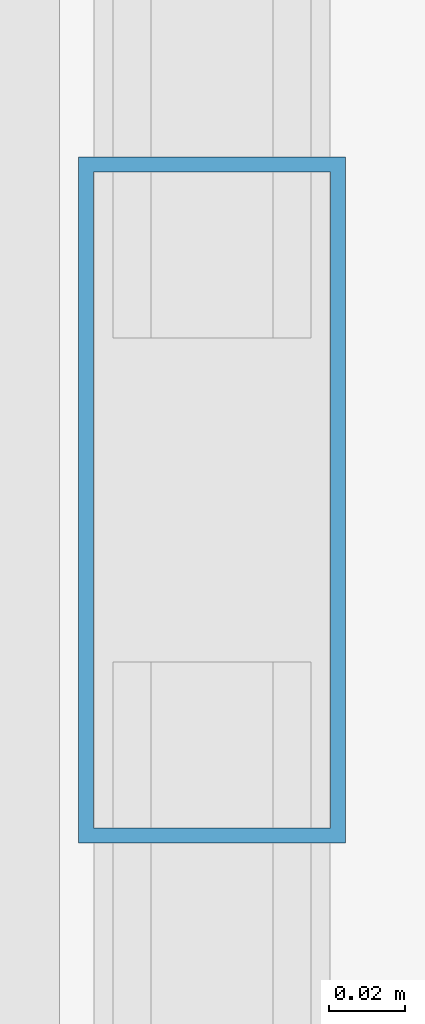
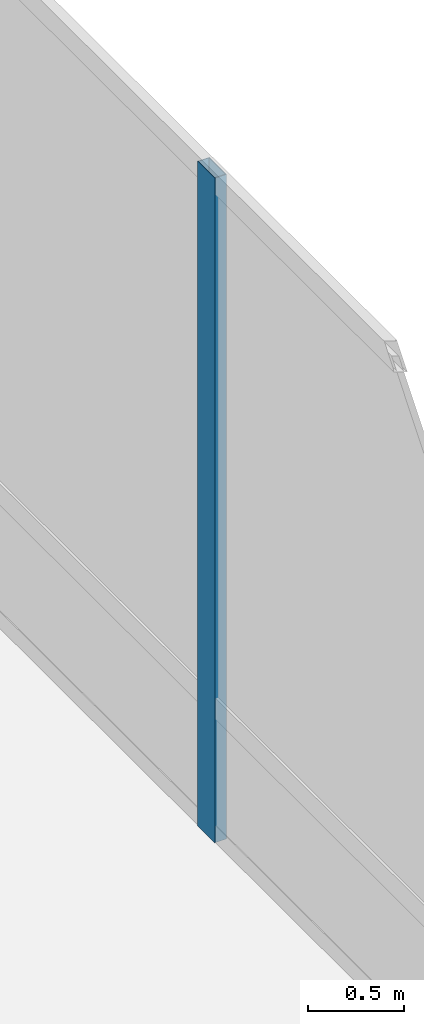
# One storey, part 15 of 25: 1 member, 1 element without a shape of its own.
"""IFC4 building model written with IfcOpenShell, lengths in metres."""

from ifc_helpers import new_model, si_unit, direction, frame, origin, origin_2d, place, context, subcontext, project, spatial, hollow_rectangle, extrude, material, material_profile, profile_set, type_object, element, aggregate, save


model = new_model("IFC4")

# Units and contexts
model_context = context("Model", 3, precision=1e-05, world=origin(), true_north=direction((0.0, 1.0)))
body_context = subcontext(model_context, "Body", "Model", "MODEL_VIEW")
ifc_project = project(units=[si_unit("LENGTHUNIT", "METRE"), si_unit("AREAUNIT", "SQUARE_METRE"), si_unit("VOLUMEUNIT", "CUBIC_METRE"), si_unit("PLANEANGLEUNIT", "RADIAN"), si_unit("MASSUNIT", "GRAM", prefix="KILO")], contexts=[model_context])

# Site, building, storey
site_placement = place(None, origin())
site = spatial("IfcSite", under=ifc_project, at=site_placement, CompositionType="ELEMENT")
building_placement = place(site_placement, origin())
building = spatial("IfcBuilding", under=site, at=building_placement, Name="Punatoya Terracotta Tower", CompositionType="ELEMENT")
storey_placement = place(building_placement, frame((0.0, 0.0, 357.300048828125)))
storey = spatial("IfcBuildingStorey", under=building, at=storey_placement, Name="L84", CompositionType="ELEMENT", Elevation=357.300048828125)

# Curtain wall, member
ifc_material_1 = material(Name="Aluminium 6063-T6 + Double Low-E Glass", Category="aluminium")
curtain_wall_type = type_object("IfcCurtainWallType", Name="CW-CRN", PredefinedType="NOTDEFINED", material=ifc_material_1)
curtain_wall_placement = place(storey_placement, origin())
curtain_wall = element("IfcCurtainWall", 1, at=curtain_wall_placement, inside=storey, type_object=curtain_wall_type, Name="L84 Curtain Wall CW-L84-E05-1", PredefinedType="NOTDEFINED")
ifc_material_2 = material(Name="Aluminium 6063-T6", Category="aluminium")
ifc_material_profile = material_profile(ifc_material_2, hollow_rectangle(XDim=0.070068359375, YDim=0.179931640625, WallThickness=0.00390625, at=origin_2d()))
ifc_profile_set = profile_set([ifc_material_profile], Name="Aluminium 6063-T6")
member_type = type_object("IfcMemberType", Name="CW-MUL-M3", PredefinedType="MULLION", material=ifc_profile_set)
member_placement = place(storey_placement, frame((17.10009765625, 0.0, 0.0), z_axis=(0.0, 0.0, 1.0), x_axis=(1.0, 0.0, 0.0)))
member = element("IfcMember", 2, at=member_placement, type_object=member_type, Name="CW-L84-E05-1 Mullion 05", PredefinedType="MULLION", context=body_context, shape_type="SweptSolid", body=[
    extrude(hollow_rectangle(XDim=0.070068359375, YDim=0.179931640625, WallThickness=0.00390625, at=origin_2d()), origin(), (0.0, 0.0, 1.0), 4.219970703125),
])
aggregate(curtain_wall, [member])

save(model, "model.ifc")
